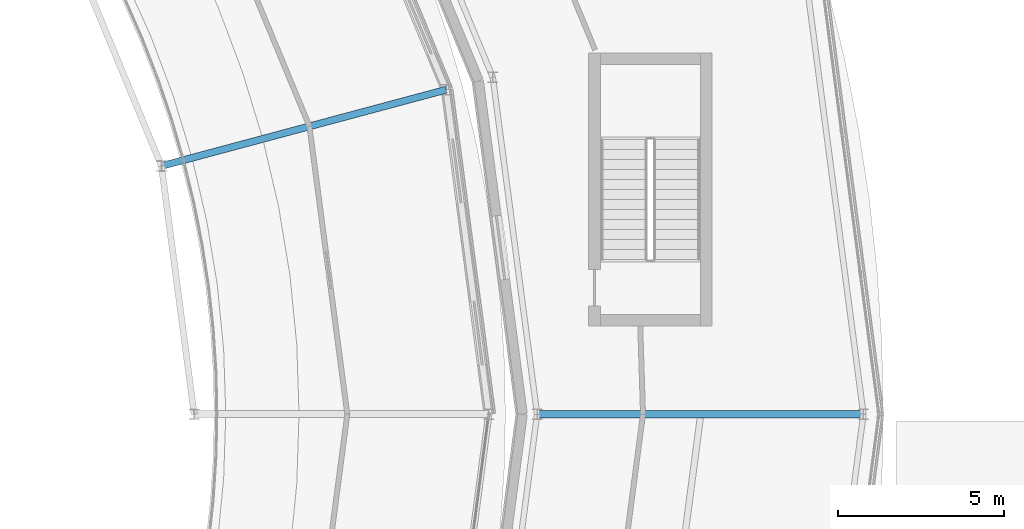
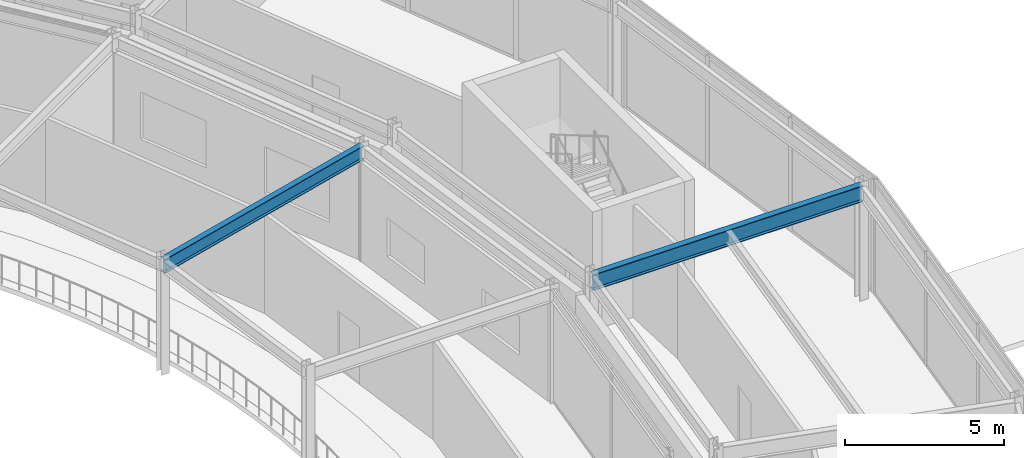
# One storey, part 43 of 133: 2 beams.
"""IFC4 building model written with IfcOpenShell, lengths in metres."""

from ifc_helpers import new_model, si_unit, direction, frame, origin, origin_2d, place, context, subcontext, project, spatial, i_section, extrude, material, material_profile, profile_set, type_object, element, save


model = new_model("IFC4")

# Units and contexts
model_context = context("Model", 3, precision=1e-05, world=origin(), true_north=direction((0.0, 1.0)))
body_context = subcontext(model_context, "Body", "Model", "MODEL_VIEW")
ifc_project = project(units=[si_unit("LENGTHUNIT", "METRE"), si_unit("AREAUNIT", "SQUARE_METRE"), si_unit("VOLUMEUNIT", "CUBIC_METRE"), si_unit("PLANEANGLEUNIT", "RADIAN"), si_unit("MASSUNIT", "GRAM", prefix="KILO")], contexts=[model_context])

# Site, building, storey
site_placement = place(None, origin())
site = spatial("IfcSite", under=ifc_project, at=site_placement, CompositionType="ELEMENT")
building_placement = place(site_placement, origin())
building = spatial("IfcBuilding", under=site, at=building_placement, Name="Almandine Court Research Institute", CompositionType="ELEMENT")
storey_placement = place(building_placement, frame((0.0, 0.0, 9.800048828125)))
storey = spatial("IfcBuildingStorey", under=building, at=storey_placement, Name="L02", CompositionType="ELEMENT", Elevation=9.800048828125)

# Beams
ifc_material = material(Name="Steel ASTM A992 Grade 50", Category="steel")
ifc_material_profile_1 = material_profile(ifc_material, i_section(OverallWidth=0.22998046875, OverallDepth=0.616943359375, WebThickness=0.012939453125, FlangeThickness=0.02197265625, at=origin_2d()), Name="W610x140")
ifc_profile_set_1 = profile_set([ifc_material_profile_1], Name="Steel ASTM A992 Grade 50")
beam_type_1 = type_object("IfcBeamType", Name="Beam-G-02", PredefinedType="BEAM", material=ifc_profile_set_1)
beam_1_placement = place(storey_placement, frame((126.10009765625, 56.0, 4.06103515625), z_axis=(1.0, 0.0, 0.0), x_axis=(0.0, 1.0, 0.0)))
element("IfcBeam", 1, at=beam_1_placement, inside=storey, type_object=beam_type_1, Name="L02 Drum Radial Girder 00", PredefinedType="BEAM", context=body_context, shape_type="SweptSolid", body=[
    extrude(i_section(OverallWidth=0.22998046875, OverallDepth=0.616943359375, WebThickness=0.012939453125, FlangeThickness=0.02197265625, at=origin_2d()), origin(), (0.0, 0.0, 1.0), 9.7998046875),
])
ifc_material_profile_2 = material_profile(ifc_material, i_section(OverallWidth=0.2109375, OverallDepth=0.5390625, WebThickness=0.011962890625, FlangeThickness=0.01904296875, at=origin_2d()), Name="W530x109")
ifc_profile_set_2 = profile_set([ifc_material_profile_2], Name="Steel ASTM A992 Grade 50")
beam_type_2 = type_object("IfcBeamType", Name="Beam-G-04", PredefinedType="BEAM", material=ifc_profile_set_2)
beam_2_placement = place(storey_placement, frame((114.819091796875, 63.4541015625, 4.099853515625), z_axis=(0.965908147944, 0.258885012576, 0.0), x_axis=(-0.258885012576, 0.965908147944, 0.0)))
element("IfcBeam", 2, at=beam_2_placement, inside=storey, type_object=beam_type_2, Name="L02 Atrium Gallery Radial Girder", PredefinedType="BEAM", context=body_context, shape_type="SweptSolid", body=[
    extrude(i_section(OverallWidth=0.2109375, OverallDepth=0.5390625, WebThickness=0.011962890625, FlangeThickness=0.01904296875, at=origin_2d()), origin(), (0.0, 0.0, 1.0), 8.849609375),
])

save(model, "model.ifc")
